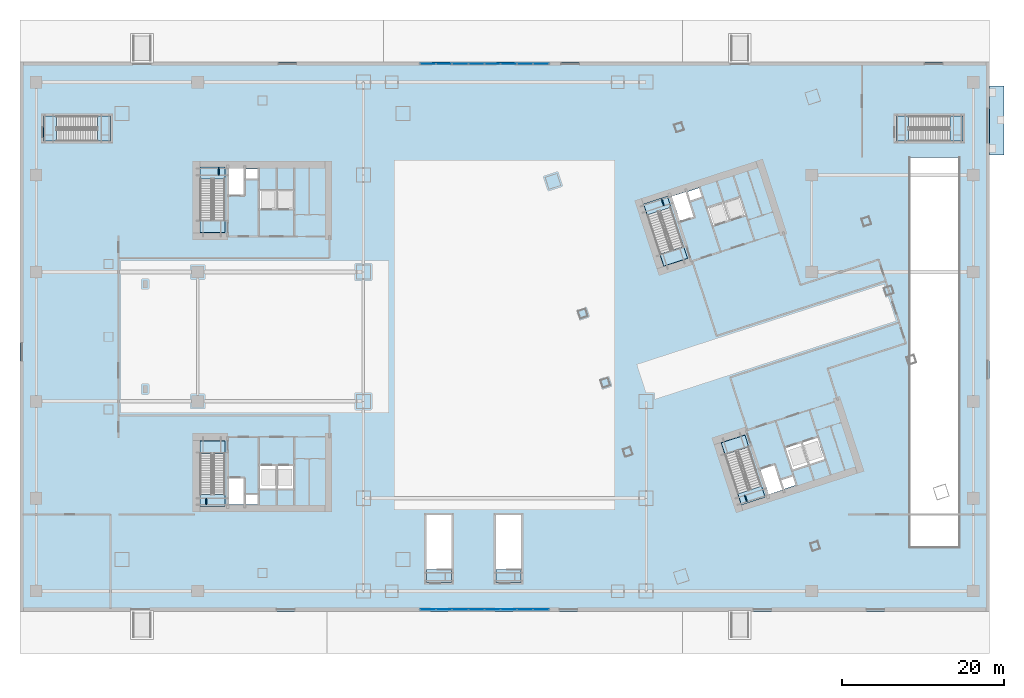
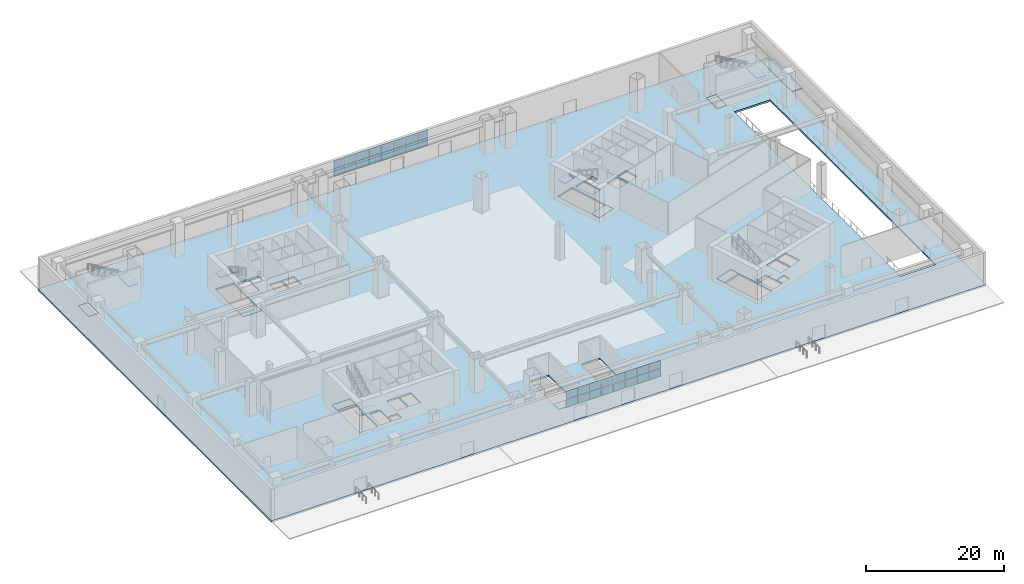
# One storey, part 11 of 31: 32 plates, 16 slabs, 4 beams, 8 elements without a shape of their own.
"""IFC4 building model written with IfcOpenShell, lengths in metres."""

from ifc_helpers import new_model, si_unit, direction, frame, origin, origin_2d, place, context, subcontext, project, spatial, polyline, rectangle, i_section, outline, extrude, material, layer, layer_set, material_profile, profile_set, type_object, element, aggregate, save


model = new_model("IFC4")

# Units and contexts
model_context = context("Model", 3, precision=1e-05, world=origin(), true_north=direction((0.0, 1.0)))
body_context = subcontext(model_context, "Body", "Model", "MODEL_VIEW")
ifc_project = project(units=[si_unit("LENGTHUNIT", "METRE"), si_unit("AREAUNIT", "SQUARE_METRE"), si_unit("VOLUMEUNIT", "CUBIC_METRE"), si_unit("PLANEANGLEUNIT", "RADIAN"), si_unit("MASSUNIT", "GRAM", prefix="KILO")], contexts=[model_context])

# Site, building, storey
site_placement = place(None, origin())
site = spatial("IfcSite", under=ifc_project, at=site_placement, CompositionType="ELEMENT")
building_placement = place(site_placement, origin())
building = spatial("IfcBuilding", under=site, at=building_placement, Name="Qiaolan Cultural Towers", CompositionType="ELEMENT")
storey_placement = place(building_placement, origin())
storey = spatial("IfcBuildingStorey", under=building, at=storey_placement, Name="L00", CompositionType="ELEMENT", Elevation=0.0)

# Beams
ifc_material_1 = material(Name="Steel Q355B", Category="steel")
ifc_material_profile = material_profile(ifc_material_1, i_section(OverallWidth=0.10009765625, OverallDepth=0.199951171875, WebThickness=0.005615234375, FlangeThickness=0.008056640625, at=origin_2d()), Name="HN200x100x5.5x8")
ifc_profile_set = profile_set([ifc_material_profile], Name="Steel Q355B")
beam_type = type_object("IfcBeamType", Name="BM-STTRIM-200", PredefinedType="BEAM", material=ifc_profile_set)
for number, where, z_axis, x_axis, name in (
    (1, (23.070068359375, 14.01123046875, 2.699951171875), (0.0, -1.0, 0.0), (1.0, 0.0, 0.0), "L00 ST-W1 Stair Landing Trimmer 1"),
    (2, (24.610107421875, 53.98876953125, 2.699951171875), (0.0, 1.0, 0.0), (-1.0, 0.0, 0.0), "L00 ST-W2 Stair Landing Trimmer 1"),
    (3, (89.72412109375, 14.364990234375, 2.699951171875), (0.308993090072, -0.951064282942, 0.0), (0.951064282942, 0.308993090072, 0.0), "L00 ST-E1 Stair Landing Trimmer 1"),
    (4, (79.7001953125, 50.19873046875, 2.699951171875), (-0.308993090072, 0.951064282942, 0.0), (-0.951064282942, -0.308993090072, 0.0), "L00 ST-E2 Stair Landing Trimmer 1"),
):
    element("IfcBeam", number, at=place(storey_placement, frame(where, z_axis=z_axis, x_axis=x_axis)), inside=storey, type_object=beam_type, Name=name, PredefinedType="BEAM", context=body_context, shape_type="SweptSolid", body=[
        extrude(i_section(OverallWidth=0.10009765625, OverallDepth=0.199951171875, WebThickness=0.005615234375, FlangeThickness=0.008056640625, at=origin_2d()), origin(), (0.0, 0.0, 1.0), 0.831298828125),
    ])

# Curtain wall, plates
ifc_material_2 = material(Name="Unitized Anodized Aluminium Curtain Wall System", Category="aluminium")
ifc_layer_1 = layer(ifc_material_2, 0.199951171875)
ifc_layer_set_1 = layer_set([ifc_layer_1], Name="Unitized Anodized Aluminium Curtain Wall System")
curtain_wall_type = type_object("IfcCurtainWallType", Name="CWS-01", PredefinedType="NOTDEFINED", material=ifc_layer_set_1)
curtain_wall_1_placement = place(storey_placement, origin())
curtain_wall_1 = element("IfcCurtainWall", 5, at=curtain_wall_1_placement, inside=storey, type_object=curtain_wall_type, Name="L00 South Station Concourse Clerestory Curtain Wall", PredefinedType="NOTDEFINED")
ifc_material_3 = material(Name="Laminated Low-E Insulating Glass Unit", Category="glass")
ifc_layer_2 = layer(ifc_material_3, 0.035888671875)
ifc_layer_set_2 = layer_set([ifc_layer_2], Name="Laminated Low-E Insulating Glass Unit")
plate_type = type_object("IfcPlateType", Name="CWS-01-PNL", PredefinedType="CURTAIN_PANEL", material=ifc_layer_set_2)
plate_1_placement = place(storey_placement, frame((50.518798828125, 0.219970703125, 2.6650390625), z_axis=(0.0, 0.0, 1.0), x_axis=(1.0, 0.0, 0.0)))
plate_1 = element("IfcPlate", 6, at=plate_1_placement, type_object=plate_type, Name="CW-1 panel 1.1", PredefinedType="CURTAIN_PANEL", context=body_context, shape_type="SweptSolid", body=[
    extrude(rectangle(XDim=1.887451171875, YDim=0.035888671875, at=origin_2d()), origin(), (0.0, 0.0, 1.0), 1.37255859375),
])
plate_2_placement = place(storey_placement, frame((50.518798828125, 0.219970703125, 4.1025390625), z_axis=(0.0, 0.0, 1.0), x_axis=(1.0, 0.0, 0.0)))
plate_2 = element("IfcPlate", 7, at=plate_2_placement, type_object=plate_type, Name="CW-1 panel 1.2", PredefinedType="CURTAIN_PANEL", context=body_context, shape_type="SweptSolid", body=[
    extrude(rectangle(XDim=1.887451171875, YDim=0.035888671875, at=origin_2d()), origin(), (0.0, 0.0, 1.0), 1.382568359375),
])
plate_3_placement = place(storey_placement, frame((52.5, 0.219970703125, 2.6650390625), z_axis=(0.0, 0.0, 1.0), x_axis=(1.0, 0.0, 0.0)))
plate_3 = element("IfcPlate", 8, at=plate_3_placement, type_object=plate_type, Name="CW-1 panel 2.1", PredefinedType="CURTAIN_PANEL", context=body_context, shape_type="SweptSolid", body=[
    extrude(rectangle(XDim=1.925048828125, YDim=0.035888671875, at=origin_2d()), origin(), (0.0, 0.0, 1.0), 1.37255859375),
])
plate_4_placement = place(storey_placement, frame((52.5, 0.219970703125, 4.1025390625), z_axis=(0.0, 0.0, 1.0), x_axis=(1.0, 0.0, 0.0)))
plate_4 = element("IfcPlate", 9, at=plate_4_placement, type_object=plate_type, Name="CW-1 panel 2.2", PredefinedType="CURTAIN_PANEL", context=body_context, shape_type="SweptSolid", body=[
    extrude(rectangle(XDim=1.925048828125, YDim=0.035888671875, at=origin_2d()), origin(), (0.0, 0.0, 1.0), 1.382568359375),
])
plate_5_placement = place(storey_placement, frame((54.5, 0.219970703125, 2.6650390625), z_axis=(0.0, 0.0, 1.0), x_axis=(1.0, 0.0, 0.0)))
plate_5 = element("IfcPlate", 10, at=plate_5_placement, type_object=plate_type, Name="CW-1 panel 3.1", PredefinedType="CURTAIN_PANEL", context=body_context, shape_type="SweptSolid", body=[
    extrude(rectangle(XDim=1.925048828125, YDim=0.035888671875, at=origin_2d()), origin(), (0.0, 0.0, 1.0), 1.37255859375),
])
plate_6_placement = place(storey_placement, frame((54.5, 0.219970703125, 4.1025390625), z_axis=(0.0, 0.0, 1.0), x_axis=(1.0, 0.0, 0.0)))
plate_6 = element("IfcPlate", 11, at=plate_6_placement, type_object=plate_type, Name="CW-1 panel 3.2", PredefinedType="CURTAIN_PANEL", context=body_context, shape_type="SweptSolid", body=[
    extrude(rectangle(XDim=1.925048828125, YDim=0.035888671875, at=origin_2d()), origin(), (0.0, 0.0, 1.0), 1.382568359375),
])
plate_7_placement = place(storey_placement, frame((56.5, 0.219970703125, 2.6650390625), z_axis=(0.0, 0.0, 1.0), x_axis=(1.0, 0.0, 0.0)))
plate_7 = element("IfcPlate", 12, at=plate_7_placement, type_object=plate_type, Name="CW-1 panel 4.1", PredefinedType="CURTAIN_PANEL", context=body_context, shape_type="SweptSolid", body=[
    extrude(rectangle(XDim=1.925048828125, YDim=0.035888671875, at=origin_2d()), origin(), (0.0, 0.0, 1.0), 1.37255859375),
])
plate_8_placement = place(storey_placement, frame((56.5, 0.219970703125, 4.1025390625), z_axis=(0.0, 0.0, 1.0), x_axis=(1.0, 0.0, 0.0)))
plate_8 = element("IfcPlate", 13, at=plate_8_placement, type_object=plate_type, Name="CW-1 panel 4.2", PredefinedType="CURTAIN_PANEL", context=body_context, shape_type="SweptSolid", body=[
    extrude(rectangle(XDim=1.925048828125, YDim=0.035888671875, at=origin_2d()), origin(), (0.0, 0.0, 1.0), 1.382568359375),
])
plate_9_placement = place(storey_placement, frame((58.5, 0.219970703125, 2.6650390625), z_axis=(0.0, 0.0, 1.0), x_axis=(1.0, 0.0, 0.0)))
plate_9 = element("IfcPlate", 14, at=plate_9_placement, type_object=plate_type, Name="CW-1 panel 5.1", PredefinedType="CURTAIN_PANEL", context=body_context, shape_type="SweptSolid", body=[
    extrude(rectangle(XDim=1.925048828125, YDim=0.035888671875, at=origin_2d()), origin(), (0.0, 0.0, 1.0), 1.37255859375),
])
plate_10_placement = place(storey_placement, frame((58.5, 0.219970703125, 4.1025390625), z_axis=(0.0, 0.0, 1.0), x_axis=(1.0, 0.0, 0.0)))
plate_10 = element("IfcPlate", 15, at=plate_10_placement, type_object=plate_type, Name="CW-1 panel 5.2", PredefinedType="CURTAIN_PANEL", context=body_context, shape_type="SweptSolid", body=[
    extrude(rectangle(XDim=1.925048828125, YDim=0.035888671875, at=origin_2d()), origin(), (0.0, 0.0, 1.0), 1.382568359375),
])
plate_11_placement = place(storey_placement, frame((60.5, 0.219970703125, 2.6650390625), z_axis=(0.0, 0.0, 1.0), x_axis=(1.0, 0.0, 0.0)))
plate_11 = element("IfcPlate", 16, at=plate_11_placement, type_object=plate_type, Name="CW-1 panel 6.1", PredefinedType="CURTAIN_PANEL", context=body_context, shape_type="SweptSolid", body=[
    extrude(rectangle(XDim=1.925048828125, YDim=0.035888671875, at=origin_2d()), origin(), (0.0, 0.0, 1.0), 1.37255859375),
])
plate_12_placement = place(storey_placement, frame((60.5, 0.219970703125, 4.1025390625), z_axis=(0.0, 0.0, 1.0), x_axis=(1.0, 0.0, 0.0)))
plate_12 = element("IfcPlate", 17, at=plate_12_placement, type_object=plate_type, Name="CW-1 panel 6.2", PredefinedType="CURTAIN_PANEL", context=body_context, shape_type="SweptSolid", body=[
    extrude(rectangle(XDim=1.925048828125, YDim=0.035888671875, at=origin_2d()), origin(), (0.0, 0.0, 1.0), 1.382568359375),
])
plate_13_placement = place(storey_placement, frame((62.5, 0.219970703125, 2.6650390625), z_axis=(0.0, 0.0, 1.0), x_axis=(1.0, 0.0, 0.0)))
plate_13 = element("IfcPlate", 18, at=plate_13_placement, type_object=plate_type, Name="CW-1 panel 7.1", PredefinedType="CURTAIN_PANEL", context=body_context, shape_type="SweptSolid", body=[
    extrude(rectangle(XDim=1.925048828125, YDim=0.035888671875, at=origin_2d()), origin(), (0.0, 0.0, 1.0), 1.37255859375),
])
plate_14_placement = place(storey_placement, frame((62.5, 0.219970703125, 4.1025390625), z_axis=(0.0, 0.0, 1.0), x_axis=(1.0, 0.0, 0.0)))
plate_14 = element("IfcPlate", 19, at=plate_14_placement, type_object=plate_type, Name="CW-1 panel 7.2", PredefinedType="CURTAIN_PANEL", context=body_context, shape_type="SweptSolid", body=[
    extrude(rectangle(XDim=1.925048828125, YDim=0.035888671875, at=origin_2d()), origin(), (0.0, 0.0, 1.0), 1.382568359375),
])
plate_15_placement = place(storey_placement, frame((64.481201171875, 0.219970703125, 2.6650390625), z_axis=(0.0, 0.0, 1.0), x_axis=(1.0, 0.0, 0.0)))
plate_15 = element("IfcPlate", 20, at=plate_15_placement, type_object=plate_type, Name="CW-1 panel 8.1", PredefinedType="CURTAIN_PANEL", context=body_context, shape_type="SweptSolid", body=[
    extrude(rectangle(XDim=1.887451171875, YDim=0.035888671875, at=origin_2d()), origin(), (0.0, 0.0, 1.0), 1.37255859375),
])
plate_16_placement = place(storey_placement, frame((64.481201171875, 0.219970703125, 4.1025390625), z_axis=(0.0, 0.0, 1.0), x_axis=(1.0, 0.0, 0.0)))
plate_16 = element("IfcPlate", 21, at=plate_16_placement, type_object=plate_type, Name="CW-1 panel 8.2", PredefinedType="CURTAIN_PANEL", context=body_context, shape_type="SweptSolid", body=[
    extrude(rectangle(XDim=1.887451171875, YDim=0.035888671875, at=origin_2d()), origin(), (0.0, 0.0, 1.0), 1.382568359375),
])
aggregate(curtain_wall_1, [plate_1, plate_2, plate_3, plate_4, plate_5, plate_6, plate_7, plate_8, plate_9, plate_10, plate_11, plate_12, plate_13, plate_14, plate_15, plate_16])

curtain_wall_2_placement = place(storey_placement, origin())
curtain_wall_2 = element("IfcCurtainWall", 22, at=curtain_wall_2_placement, inside=storey, type_object=curtain_wall_type, Name="L00 North Station Concourse Clerestory Curtain Wall", PredefinedType="NOTDEFINED")
plate_17_placement = place(storey_placement, frame((50.518798828125, 67.780029296875, 2.6650390625), z_axis=(0.0, 0.0, 1.0), x_axis=(1.0, 0.0, 0.0)))
plate_17 = element("IfcPlate", 23, at=plate_17_placement, type_object=plate_type, Name="CW-1 panel 1.1", PredefinedType="CURTAIN_PANEL", context=body_context, shape_type="SweptSolid", body=[
    extrude(rectangle(XDim=1.887451171875, YDim=0.035888671875, at=origin_2d()), origin(), (0.0, 0.0, 1.0), 1.37255859375),
])
plate_18_placement = place(storey_placement, frame((50.518798828125, 67.780029296875, 4.1025390625), z_axis=(0.0, 0.0, 1.0), x_axis=(1.0, 0.0, 0.0)))
plate_18 = element("IfcPlate", 24, at=plate_18_placement, type_object=plate_type, Name="CW-1 panel 1.2", PredefinedType="CURTAIN_PANEL", context=body_context, shape_type="SweptSolid", body=[
    extrude(rectangle(XDim=1.887451171875, YDim=0.035888671875, at=origin_2d()), origin(), (0.0, 0.0, 1.0), 1.382568359375),
])
plate_19_placement = place(storey_placement, frame((52.5, 67.780029296875, 2.6650390625), z_axis=(0.0, 0.0, 1.0), x_axis=(1.0, 0.0, 0.0)))
plate_19 = element("IfcPlate", 25, at=plate_19_placement, type_object=plate_type, Name="CW-1 panel 2.1", PredefinedType="CURTAIN_PANEL", context=body_context, shape_type="SweptSolid", body=[
    extrude(rectangle(XDim=1.925048828125, YDim=0.035888671875, at=origin_2d()), origin(), (0.0, 0.0, 1.0), 1.37255859375),
])
plate_20_placement = place(storey_placement, frame((52.5, 67.780029296875, 4.1025390625), z_axis=(0.0, 0.0, 1.0), x_axis=(1.0, 0.0, 0.0)))
plate_20 = element("IfcPlate", 26, at=plate_20_placement, type_object=plate_type, Name="CW-1 panel 2.2", PredefinedType="CURTAIN_PANEL", context=body_context, shape_type="SweptSolid", body=[
    extrude(rectangle(XDim=1.925048828125, YDim=0.035888671875, at=origin_2d()), origin(), (0.0, 0.0, 1.0), 1.382568359375),
])
plate_21_placement = place(storey_placement, frame((54.5, 67.780029296875, 2.6650390625), z_axis=(0.0, 0.0, 1.0), x_axis=(1.0, 0.0, 0.0)))
plate_21 = element("IfcPlate", 27, at=plate_21_placement, type_object=plate_type, Name="CW-1 panel 3.1", PredefinedType="CURTAIN_PANEL", context=body_context, shape_type="SweptSolid", body=[
    extrude(rectangle(XDim=1.925048828125, YDim=0.035888671875, at=origin_2d()), origin(), (0.0, 0.0, 1.0), 1.37255859375),
])
plate_22_placement = place(storey_placement, frame((54.5, 67.780029296875, 4.1025390625), z_axis=(0.0, 0.0, 1.0), x_axis=(1.0, 0.0, 0.0)))
plate_22 = element("IfcPlate", 28, at=plate_22_placement, type_object=plate_type, Name="CW-1 panel 3.2", PredefinedType="CURTAIN_PANEL", context=body_context, shape_type="SweptSolid", body=[
    extrude(rectangle(XDim=1.925048828125, YDim=0.035888671875, at=origin_2d()), origin(), (0.0, 0.0, 1.0), 1.382568359375),
])
plate_23_placement = place(storey_placement, frame((56.5, 67.780029296875, 2.6650390625), z_axis=(0.0, 0.0, 1.0), x_axis=(1.0, 0.0, 0.0)))
plate_23 = element("IfcPlate", 29, at=plate_23_placement, type_object=plate_type, Name="CW-1 panel 4.1", PredefinedType="CURTAIN_PANEL", context=body_context, shape_type="SweptSolid", body=[
    extrude(rectangle(XDim=1.925048828125, YDim=0.035888671875, at=origin_2d()), origin(), (0.0, 0.0, 1.0), 1.37255859375),
])
plate_24_placement = place(storey_placement, frame((56.5, 67.780029296875, 4.1025390625), z_axis=(0.0, 0.0, 1.0), x_axis=(1.0, 0.0, 0.0)))
plate_24 = element("IfcPlate", 30, at=plate_24_placement, type_object=plate_type, Name="CW-1 panel 4.2", PredefinedType="CURTAIN_PANEL", context=body_context, shape_type="SweptSolid", body=[
    extrude(rectangle(XDim=1.925048828125, YDim=0.035888671875, at=origin_2d()), origin(), (0.0, 0.0, 1.0), 1.382568359375),
])
plate_25_placement = place(storey_placement, frame((58.5, 67.780029296875, 2.6650390625), z_axis=(0.0, 0.0, 1.0), x_axis=(1.0, 0.0, 0.0)))
plate_25 = element("IfcPlate", 31, at=plate_25_placement, type_object=plate_type, Name="CW-1 panel 5.1", PredefinedType="CURTAIN_PANEL", context=body_context, shape_type="SweptSolid", body=[
    extrude(rectangle(XDim=1.925048828125, YDim=0.035888671875, at=origin_2d()), origin(), (0.0, 0.0, 1.0), 1.37255859375),
])
plate_26_placement = place(storey_placement, frame((58.5, 67.780029296875, 4.1025390625), z_axis=(0.0, 0.0, 1.0), x_axis=(1.0, 0.0, 0.0)))
plate_26 = element("IfcPlate", 32, at=plate_26_placement, type_object=plate_type, Name="CW-1 panel 5.2", PredefinedType="CURTAIN_PANEL", context=body_context, shape_type="SweptSolid", body=[
    extrude(rectangle(XDim=1.925048828125, YDim=0.035888671875, at=origin_2d()), origin(), (0.0, 0.0, 1.0), 1.382568359375),
])
plate_27_placement = place(storey_placement, frame((60.5, 67.780029296875, 2.6650390625), z_axis=(0.0, 0.0, 1.0), x_axis=(1.0, 0.0, 0.0)))
plate_27 = element("IfcPlate", 33, at=plate_27_placement, type_object=plate_type, Name="CW-1 panel 6.1", PredefinedType="CURTAIN_PANEL", context=body_context, shape_type="SweptSolid", body=[
    extrude(rectangle(XDim=1.925048828125, YDim=0.035888671875, at=origin_2d()), origin(), (0.0, 0.0, 1.0), 1.37255859375),
])
plate_28_placement = place(storey_placement, frame((60.5, 67.780029296875, 4.1025390625), z_axis=(0.0, 0.0, 1.0), x_axis=(1.0, 0.0, 0.0)))
plate_28 = element("IfcPlate", 34, at=plate_28_placement, type_object=plate_type, Name="CW-1 panel 6.2", PredefinedType="CURTAIN_PANEL", context=body_context, shape_type="SweptSolid", body=[
    extrude(rectangle(XDim=1.925048828125, YDim=0.035888671875, at=origin_2d()), origin(), (0.0, 0.0, 1.0), 1.382568359375),
])
plate_29_placement = place(storey_placement, frame((62.5, 67.780029296875, 2.6650390625), z_axis=(0.0, 0.0, 1.0), x_axis=(1.0, 0.0, 0.0)))
plate_29 = element("IfcPlate", 35, at=plate_29_placement, type_object=plate_type, Name="CW-1 panel 7.1", PredefinedType="CURTAIN_PANEL", context=body_context, shape_type="SweptSolid", body=[
    extrude(rectangle(XDim=1.925048828125, YDim=0.035888671875, at=origin_2d()), origin(), (0.0, 0.0, 1.0), 1.37255859375),
])
plate_30_placement = place(storey_placement, frame((62.5, 67.780029296875, 4.1025390625), z_axis=(0.0, 0.0, 1.0), x_axis=(1.0, 0.0, 0.0)))
plate_30 = element("IfcPlate", 36, at=plate_30_placement, type_object=plate_type, Name="CW-1 panel 7.2", PredefinedType="CURTAIN_PANEL", context=body_context, shape_type="SweptSolid", body=[
    extrude(rectangle(XDim=1.925048828125, YDim=0.035888671875, at=origin_2d()), origin(), (0.0, 0.0, 1.0), 1.382568359375),
])
plate_31_placement = place(storey_placement, frame((64.481201171875, 67.780029296875, 2.6650390625), z_axis=(0.0, 0.0, 1.0), x_axis=(1.0, 0.0, 0.0)))
plate_31 = element("IfcPlate", 37, at=plate_31_placement, type_object=plate_type, Name="CW-1 panel 8.1", PredefinedType="CURTAIN_PANEL", context=body_context, shape_type="SweptSolid", body=[
    extrude(rectangle(XDim=1.887451171875, YDim=0.035888671875, at=origin_2d()), origin(), (0.0, 0.0, 1.0), 1.37255859375),
])
plate_32_placement = place(storey_placement, frame((64.481201171875, 67.780029296875, 4.1025390625), z_axis=(0.0, 0.0, 1.0), x_axis=(1.0, 0.0, 0.0)))
plate_32 = element("IfcPlate", 38, at=plate_32_placement, type_object=plate_type, Name="CW-1 panel 8.2", PredefinedType="CURTAIN_PANEL", context=body_context, shape_type="SweptSolid", body=[
    extrude(rectangle(XDim=1.887451171875, YDim=0.035888671875, at=origin_2d()), origin(), (0.0, 0.0, 1.0), 1.382568359375),
])
aggregate(curtain_wall_2, [plate_17, plate_18, plate_19, plate_20, plate_21, plate_22, plate_23, plate_24, plate_25, plate_26, plate_27, plate_28, plate_29, plate_30, plate_31, plate_32])

# Slabs
ifc_material_4 = material(Name="Precast concrete C40", Category="concrete")
ifc_layer_3 = layer(ifc_material_4, 0.179931640625)
ifc_layer_set_3 = layer_set([ifc_layer_3], Name="Precast concrete C40")
slab_type_1 = type_object("IfcSlabType", Name="SL-PLAZA-180", PredefinedType="FLOOR", material=ifc_layer_set_3)
slab_1_placement = place(storey_placement, frame((0.0, 0.0, -0.179931640625)))
element("IfcSlab", 39, at=slab_1_placement, inside=storey, type_object=slab_type_1, Name="Car Park Ramp Street Apron Slab", PredefinedType="FLOOR", context=body_context, shape_type="SweptSolid", body=[
    extrude(outline(polyline([(120.0, 56.5), (121.800048828125, 56.5), (121.800048828125, 65.0), (120.0, 65.0), (120.0, 56.5)])), origin(), (0.0, 0.0, 1.0), 0.179931640625),
])
ifc_material_5 = material(Name="Concrete C50", Category="concrete")
ifc_layer_4 = layer(ifc_material_5, 0.300048828125)
ifc_layer_set_4 = layer_set([ifc_layer_4], Name="Concrete C50")
slab_type_2 = type_object("IfcSlabType", Name="SL-POD-300", PredefinedType="FLOOR", material=ifc_layer_set_4)
slab_2_placement = place(storey_placement, frame((0.0, 0.0, -0.300048828125)))
element("IfcSlab", 40, at=slab_2_placement, inside=storey, type_object=slab_type_2, Name="L00 Structural Floor Slab", PredefinedType="FLOOR", context=body_context, shape_type="SweptSolid", body=[
    extrude(outline(polyline([(0.0, 0.0), (120.0, 0.0), (120.0, 68.0), (0.0, 68.0), (0.0, 0.0)]), holes=[polyline([(22.300048828125, 21.10009765625), (22.300048828125, 13.0), (25.3798828125, 13.0), (25.3798828125, 21.10009765625), (22.300048828125, 21.10009765625)]), polyline([(25.3798828125, 46.89990234375), (25.3798828125, 55.0), (22.300048828125, 55.0), (22.300048828125, 46.89990234375), (25.3798828125, 46.89990234375)]), polyline([(86.80126953125, 20.868896484375), (89.30419921875, 13.165283203125), (92.2333984375, 14.116943359375), (89.73046875, 21.820556640625), (86.80126953125, 20.868896484375)]), polyline([(82.623046875, 43.69482421875), (80.1201171875, 51.3984375), (77.190673828125, 50.44677734375), (79.69384765625, 42.7431640625), (82.623046875, 43.69482421875)]), polyline([(2.89990234375, 58.199951171875), (4.5, 58.199951171875), (4.5, 61.300048828125), (2.89990234375, 61.300048828125), (2.89990234375, 58.199951171875)]), polyline([(108.39990234375, 58.199951171875), (110.0, 58.199951171875), (110.0, 61.300048828125), (108.39990234375, 61.300048828125), (108.39990234375, 58.199951171875)]), polyline([(53.39990234375, 3.60009765625), (53.39990234375, 11.89990234375), (50.300048828125, 11.89990234375), (50.300048828125, 3.60009765625), (53.39990234375, 3.60009765625)]), polyline([(62.0, 3.60009765625), (62.0, 11.89990234375), (58.89990234375, 11.89990234375), (58.89990234375, 3.60009765625), (62.0, 3.60009765625)]), polyline([(25.89990234375, 13.199951171875), (27.75, 13.199951171875), (27.75, 16.449951171875), (25.89990234375, 16.449951171875), (25.89990234375, 13.199951171875)]), polyline([(27.93994140625, 13.25), (29.449951171875, 13.25), (29.449951171875, 14.419921875), (27.93994140625, 14.419921875), (27.93994140625, 13.25)]), polyline([(29.679931640625, 15.199951171875), (31.679931640625, 15.199951171875), (31.679931640625, 18.0), (29.679931640625, 18.0), (29.679931640625, 15.199951171875)]), polyline([(31.8798828125, 15.199951171875), (33.820068359375, 15.199951171875), (33.820068359375, 18.0), (31.8798828125, 18.0), (31.8798828125, 15.199951171875)]), polyline([(25.89990234375, 51.550048828125), (27.75, 51.550048828125), (27.75, 54.800048828125), (25.89990234375, 54.800048828125), (25.89990234375, 51.550048828125)]), polyline([(27.93994140625, 53.580078125), (29.449951171875, 53.580078125), (29.449951171875, 54.75), (27.93994140625, 54.75), (27.93994140625, 53.580078125)]), polyline([(29.679931640625, 49.820068359375), (31.679931640625, 49.820068359375), (31.679931640625, 52.080078125), (29.679931640625, 52.080078125), (29.679931640625, 49.820068359375)]), polyline([(31.8798828125, 49.820068359375), (33.820068359375, 49.820068359375), (33.820068359375, 52.080078125), (31.8798828125, 52.080078125), (31.8798828125, 49.820068359375)]), polyline([(92.666259765625, 14.468017578125), (94.42578125, 15.03955078125), (93.42138671875, 18.130615234375), (91.661865234375, 17.558837890625), (92.666259765625, 14.468017578125)]), polyline([(94.5908203125, 15.14599609375), (96.027099609375, 15.612548828125), (95.66552734375, 16.725341796875), (94.2294921875, 16.258544921875), (94.5908203125, 15.14599609375)]), polyline([(95.643310546875, 17.5380859375), (97.54541015625, 18.15625), (96.68017578125, 20.819091796875), (94.77783203125, 20.201171875), (95.643310546875, 17.5380859375)]), polyline([(97.735595703125, 18.218017578125), (99.58056640625, 18.8173828125), (98.71533203125, 21.48046875), (96.870361328125, 20.880859375), (97.735595703125, 18.218017578125)]), polyline([(81.6806640625, 48.278076171875), (83.440185546875, 48.849609375), (82.435791015625, 51.940673828125), (80.67626953125, 51.368896484375), (81.6806640625, 48.278076171875)]), polyline([(82.993408203125, 50.839111328125), (84.4296875, 51.3056640625), (84.068115234375, 52.41845703125), (82.632080078125, 51.95166015625), (82.993408203125, 50.839111328125)]), polyline([(85.810302734375, 47.80078125), (87.71240234375, 48.418701171875), (87.013916015625, 50.568115234375), (85.11181640625, 49.9501953125), (85.810302734375, 47.80078125)]), polyline([(87.902587890625, 48.480712890625), (89.74755859375, 49.080078125), (89.04931640625, 51.2294921875), (87.2041015625, 50.6298828125), (87.902587890625, 48.480712890625)]), polyline([(110.199951171875, 8.0), (116.199951171875, 8.0), (116.199951171875, 56.199951171875), (110.199951171875, 56.199951171875), (110.199951171875, 8.0)])]), origin(), (0.0, 0.0, 1.0), 0.300048828125),
])

# Stair, slab
ifc_material_6 = material(Name="Concrete C45", Category="concrete")
stair_type_1 = type_object("IfcStairType", Name="STR-CORE-1500", PredefinedType="HALF_TURN_STAIR", material=ifc_material_6)
stair_1_placement = place(storey_placement, origin())
stair_1 = element("IfcStair", 41, at=stair_1_placement, inside=storey, type_object=stair_type_1, Name="L00 Smokeproof Exit Stair ST-W1", PredefinedType="HALF_TURN_STAIR")
ifc_material_7 = material(Name="Concrete C45", Category="concrete")
ifc_layer_5 = layer(ifc_material_7, 0.199951171875)
ifc_layer_set_5 = layer_set([ifc_layer_5], Name="Concrete C45")
slab_type_3 = type_object("IfcSlabType", Name="SL-STAIR-LAND", PredefinedType="LANDING", material=ifc_layer_set_5)
slab_3_placement = place(storey_placement, frame((0.0, 0.0, 2.800048828125)))
slab_3 = element("IfcSlab", 42, at=slab_3_placement, type_object=slab_type_3, Name="ST-W1 landing 1", PredefinedType="LANDING", context=body_context, shape_type="SweptSolid", body=[
    extrude(outline(polyline([(22.300048828125, 14.451416015625), (22.300048828125, 13.0), (25.3798828125, 13.0), (25.3798828125, 14.451416015625), (22.300048828125, 14.451416015625)])), origin(), (0.0, 0.0, 1.0), 0.199951171875),
])
aggregate(stair_1, [slab_3])

stair_2_placement = place(storey_placement, origin())
stair_2 = element("IfcStair", 43, at=stair_2_placement, inside=storey, type_object=stair_type_1, Name="L00 Smokeproof Exit Stair ST-W2", PredefinedType="HALF_TURN_STAIR")
slab_4_placement = place(storey_placement, frame((0.0, 0.0, 2.800048828125)))
slab_4 = element("IfcSlab", 44, at=slab_4_placement, type_object=slab_type_3, Name="ST-W2 landing 1", PredefinedType="LANDING", context=body_context, shape_type="SweptSolid", body=[
    extrude(outline(polyline([(25.3798828125, 53.548583984375), (25.3798828125, 55.0), (22.300048828125, 55.0), (22.300048828125, 53.548583984375), (25.3798828125, 53.548583984375)])), origin(), (0.0, 0.0, 1.0), 0.199951171875),
])
aggregate(stair_2, [slab_4])

stair_3_placement = place(storey_placement, origin())
stair_3 = element("IfcStair", 45, at=stair_3_placement, inside=storey, type_object=stair_type_1, Name="L00 Smokeproof Exit Stair ST-E1", PredefinedType="HALF_TURN_STAIR")
slab_5_placement = place(storey_placement, frame((0.0, 0.0, 2.800048828125)))
slab_5 = element("IfcSlab", 46, at=slab_5_placement, type_object=slab_type_3, Name="ST-E1 landing 1", PredefinedType="LANDING", context=body_context, shape_type="SweptSolid", body=[
    extrude(outline(polyline([(88.855712890625, 14.545654296875), (89.30419921875, 13.165283203125), (92.2333984375, 14.116943359375), (91.784912109375, 15.497314453125), (88.855712890625, 14.545654296875)])), origin(), (0.0, 0.0, 1.0), 0.199951171875),
])
aggregate(stair_3, [slab_5])

stair_4_placement = place(storey_placement, origin())
stair_4 = element("IfcStair", 47, at=stair_4_placement, inside=storey, type_object=stair_type_1, Name="L00 Smokeproof Exit Stair ST-E2", PredefinedType="HALF_TURN_STAIR")
slab_6_placement = place(storey_placement, frame((0.0, 0.0, 2.800048828125)))
slab_6 = element("IfcSlab", 48, at=slab_6_placement, type_object=slab_type_3, Name="ST-E2 landing 1", PredefinedType="LANDING", context=body_context, shape_type="SweptSolid", body=[
    extrude(outline(polyline([(80.568603515625, 50.018310546875), (80.1201171875, 51.3984375), (77.190673828125, 50.44677734375), (77.63916015625, 49.06640625), (80.568603515625, 50.018310546875)])), origin(), (0.0, 0.0, 1.0), 0.199951171875),
])
aggregate(stair_4, [slab_6])

ifc_material_8 = material(Name="Concrete C45", Category="concrete")
stair_type_2 = type_object("IfcStairType", Name="STR-POD-1650", PredefinedType="HALF_TURN_STAIR", material=ifc_material_8)
stair_5_placement = place(storey_placement, origin())
stair_5 = element("IfcStair", 49, at=stair_5_placement, inside=storey, type_object=stair_type_2, Name="L00 Podium Northwest Exit Stair ST-P1", PredefinedType="HALF_TURN_STAIR")
slab_7_placement = place(storey_placement, frame((0.0, 0.0, 2.800048828125)))
slab_7 = element("IfcSlab", 50, at=slab_7_placement, type_object=slab_type_3, Name="ST-P1 landing 1", PredefinedType="LANDING", context=body_context, shape_type="SweptSolid", body=[
    extrude(outline(polyline([(9.5986328125, 58.199951171875), (11.199951171875, 58.199951171875), (11.199951171875, 61.300048828125), (9.5986328125, 61.300048828125), (9.5986328125, 58.199951171875)])), origin(), (0.0, 0.0, 1.0), 0.199951171875),
])
aggregate(stair_5, [slab_7])

stair_6_placement = place(storey_placement, origin())
stair_6 = element("IfcStair", 51, at=stair_6_placement, inside=storey, type_object=stair_type_2, Name="L00 Podium Northeast Exit Stair ST-P2", PredefinedType="HALF_TURN_STAIR")
slab_8_placement = place(storey_placement, frame((0.0, 0.0, 2.800048828125)))
slab_8 = element("IfcSlab", 52, at=slab_8_placement, type_object=slab_type_3, Name="ST-P2 landing 1", PredefinedType="LANDING", context=body_context, shape_type="SweptSolid", body=[
    extrude(outline(polyline([(115.0986328125, 58.199951171875), (116.699951171875, 58.199951171875), (116.699951171875, 61.300048828125), (115.0986328125, 61.300048828125), (115.0986328125, 58.199951171875)])), origin(), (0.0, 0.0, 1.0), 0.199951171875),
])
aggregate(stair_6, [slab_8])

# Slabs
ifc_material_9 = material(Name="Concrete C40", Category="concrete")
ifc_layer_6 = layer(ifc_material_9, 0.360107421875)
ifc_layer_set_6 = layer_set([ifc_layer_6], Name="Concrete C40")
slab_type_4 = type_object("IfcSlabType", Name="SL-STFLR-360", PredefinedType="LANDING", material=ifc_layer_set_6)
slab_9_placement = place(storey_placement, frame((0.0, 0.0, -0.360107421875)))
element("IfcSlab", 53, at=slab_9_placement, inside=storey, type_object=slab_type_4, Name="L00 ST-W1 Stair Floor Landing Slab", PredefinedType="LANDING", context=body_context, shape_type="SweptSolid", body=[
    extrude(outline(polyline([(22.302001953125, 21.097900390625), (22.302001953125, 19.548583984375), (25.3779296875, 19.548583984375), (25.3779296875, 21.097900390625), (22.302001953125, 21.097900390625)])), origin(), (0.0, 0.0, 1.0), 0.360107421875),
])
slab_10_placement = place(storey_placement, frame((0.0, 0.0, -0.360107421875)))
element("IfcSlab", 54, at=slab_10_placement, inside=storey, type_object=slab_type_4, Name="L00 ST-W2 Stair Floor Landing Slab", PredefinedType="LANDING", context=body_context, shape_type="SweptSolid", body=[
    extrude(outline(polyline([(25.3779296875, 46.902099609375), (25.3779296875, 48.451416015625), (22.302001953125, 48.451416015625), (22.302001953125, 46.902099609375), (25.3779296875, 46.902099609375)])), origin(), (0.0, 0.0, 1.0), 0.360107421875),
])
slab_11_placement = place(storey_placement, frame((0.0, 0.0, -0.360107421875)))
element("IfcSlab", 55, at=slab_11_placement, inside=storey, type_object=slab_type_4, Name="L00 ST-E1 Stair Floor Landing Slab", PredefinedType="LANDING", context=body_context, shape_type="SweptSolid", body=[
    extrude(outline(polyline([(86.8037109375, 20.867431640625), (87.282470703125, 19.39404296875), (90.2080078125, 20.3447265625), (89.729248046875, 21.818115234375), (86.8037109375, 20.867431640625)])), origin(), (0.0, 0.0, 1.0), 0.360107421875),
])
slab_12_placement = place(storey_placement, frame((0.0, 0.0, -0.360107421875)))
element("IfcSlab", 56, at=slab_12_placement, inside=storey, type_object=slab_type_4, Name="L00 ST-E2 Stair Floor Landing Slab", PredefinedType="LANDING", context=body_context, shape_type="SweptSolid", body=[
    extrude(outline(polyline([(82.62060546875, 43.6962890625), (82.141845703125, 45.169677734375), (79.21630859375, 44.21923828125), (79.695068359375, 42.74560546875), (82.62060546875, 43.6962890625)])), origin(), (0.0, 0.0, 1.0), 0.360107421875),
])
slab_13_placement = place(storey_placement, frame((0.0, 0.0, -0.360107421875)))
element("IfcSlab", 57, at=slab_13_placement, inside=storey, type_object=slab_type_4, Name="L00 ST-P1 Stair Floor Landing Slab", PredefinedType="LANDING", context=body_context, shape_type="SweptSolid", body=[
    extrude(outline(polyline([(2.902099609375, 58.201904296875), (4.501220703125, 58.201904296875), (4.501220703125, 61.298095703125), (2.902099609375, 61.298095703125), (2.902099609375, 58.201904296875)])), origin(), (0.0, 0.0, 1.0), 0.360107421875),
])
slab_14_placement = place(storey_placement, frame((0.0, 0.0, -0.360107421875)))
element("IfcSlab", 58, at=slab_14_placement, inside=storey, type_object=slab_type_4, Name="L00 ST-P2 Stair Floor Landing Slab", PredefinedType="LANDING", context=body_context, shape_type="SweptSolid", body=[
    extrude(outline(polyline([(108.402099609375, 58.201904296875), (110.001220703125, 58.201904296875), (110.001220703125, 61.298095703125), (108.402099609375, 61.298095703125), (108.402099609375, 58.201904296875)])), origin(), (0.0, 0.0, 1.0), 0.360107421875),
])
slab_15_placement = place(storey_placement, frame((0.0, 0.0, -0.360107421875)))
element("IfcSlab", 59, at=slab_15_placement, inside=storey, type_object=slab_type_4, Name="L00 ST-M1 Stair Floor Landing Slab", PredefinedType="LANDING", context=body_context, shape_type="SweptSolid", body=[
    extrude(outline(polyline([(53.39794921875, 3.60205078125), (53.39794921875, 5.201416015625), (50.302001953125, 5.201416015625), (50.302001953125, 3.60205078125), (53.39794921875, 3.60205078125)])), origin(), (0.0, 0.0, 1.0), 0.360107421875),
])
slab_16_placement = place(storey_placement, frame((0.0, 0.0, -0.360107421875)))
element("IfcSlab", 60, at=slab_16_placement, inside=storey, type_object=slab_type_4, Name="L00 ST-M2 Stair Floor Landing Slab", PredefinedType="LANDING", context=body_context, shape_type="SweptSolid", body=[
    extrude(outline(polyline([(61.998046875, 3.60205078125), (61.998046875, 5.201416015625), (58.902099609375, 5.201416015625), (58.902099609375, 3.60205078125), (61.998046875, 3.60205078125)])), origin(), (0.0, 0.0, 1.0), 0.360107421875),
])

save(model, "model.ifc")
